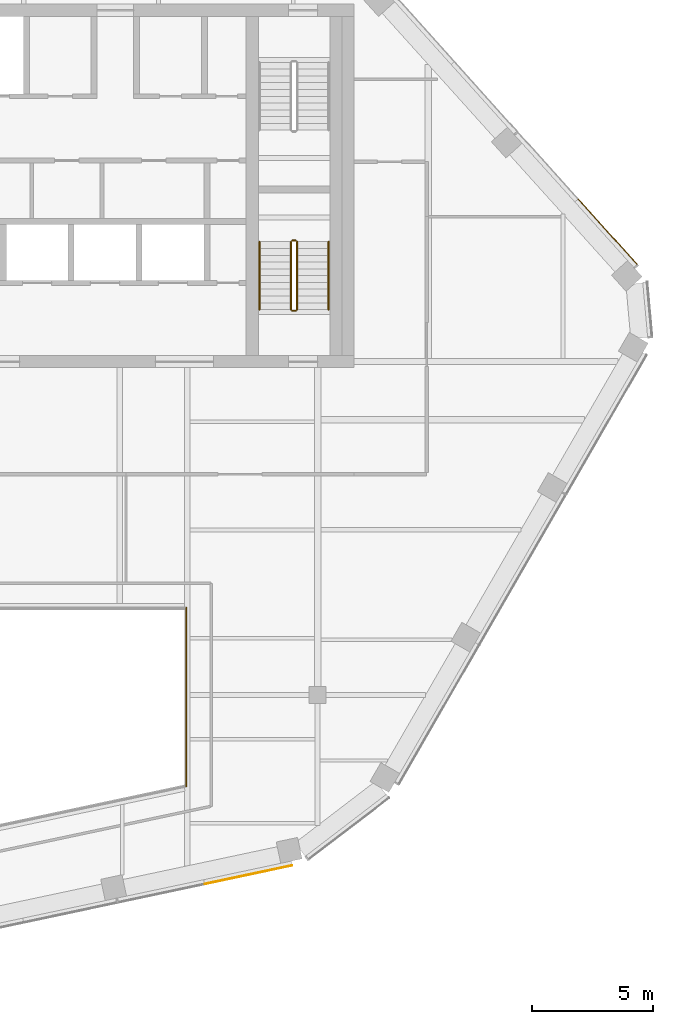
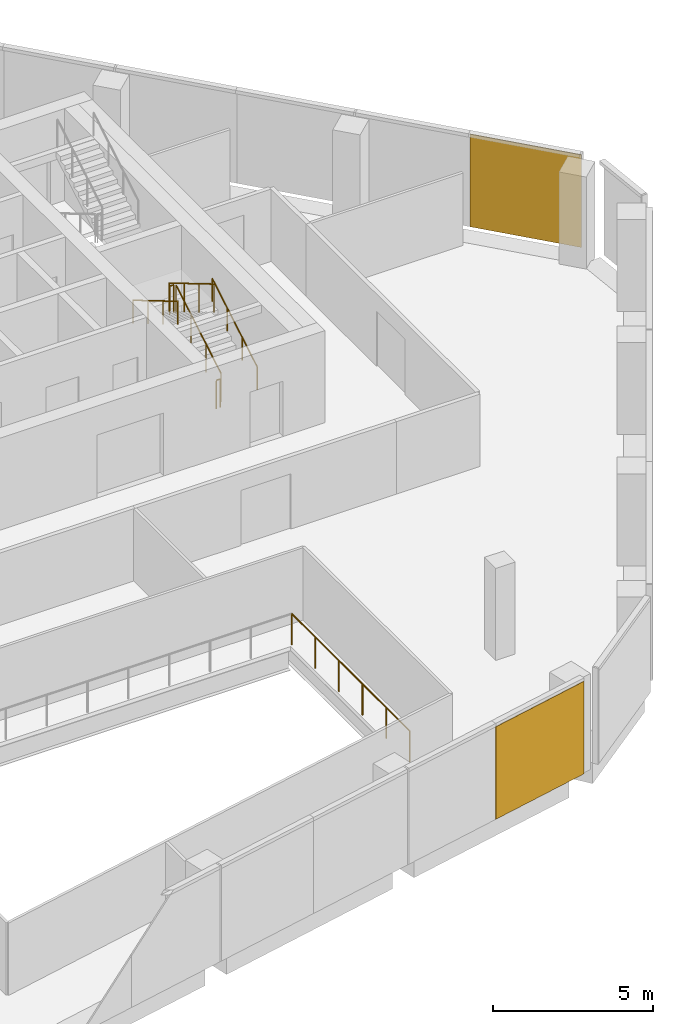
# One storey, part 13 of 15: 7 railings, 2 coverings, 2 elements without a shape of their own.
"""IFC4 building model written with IfcOpenShell, lengths in metres."""

from ifc_helpers import new_model, si_unit, direction, frame, origin, origin_2d, place, context, subcontext, project, spatial, rectangle, circle, extrude, material, layer, layer_set, type_object, element, aggregate, save


model = new_model("IFC4")

# Units and contexts
model_context = context("Model", 3, precision=1e-05, world=origin(), true_north=direction((0.0, 1.0)))
body_context = subcontext(model_context, "Body", "Model", "MODEL_VIEW")
ifc_project = project(units=[si_unit("LENGTHUNIT", "METRE"), si_unit("AREAUNIT", "SQUARE_METRE"), si_unit("VOLUMEUNIT", "CUBIC_METRE"), si_unit("PLANEANGLEUNIT", "RADIAN"), si_unit("MASSUNIT", "GRAM", prefix="KILO")], contexts=[model_context])

# Site, building, storey
site_placement = place(None, origin())
site = spatial("IfcSite", under=ifc_project, at=site_placement, CompositionType="ELEMENT")
building_placement = place(site_placement, origin())
building = spatial("IfcBuilding", under=site, at=building_placement, Name="Isthmus Gate Tower", CompositionType="ELEMENT")
storey_placement = place(building_placement, frame((0.0, 0.0, 293.800048828125)))
storey = spatial("IfcBuildingStorey", under=building, at=storey_placement, Name="L75", CompositionType="ELEMENT", Elevation=293.800048828125)

# Railing
ifc_material_1 = material(Name="Laminated toughened glass balustrade with steel rail", Category="steel")
railing_type_1 = type_object("IfcRailingType", Name="ATRIUM GUARD GLASS BALUSTRADE 1200", PredefinedType="GUARDRAIL", material=ifc_material_1)
railing_1_placement = place(storey_placement, frame((8.080078125, -9.919921875, 0.0)))
element("IfcRailing", 1, at=railing_1_placement, inside=storey, type_object=railing_type_1, Name="L75 atrium guard", PredefinedType="GUARDRAIL", context=body_context, shape_type="SweptSolid", body=[
    extrude(circle(Radius=0.02490234375, at=origin_2d()), frame((0.0, 0.0, 1.1748046875), z_axis=(0.0, -1.0, 0.0), x_axis=(1.0, 0.0, 0.0)), (0.0, 0.0, 1.0), 7.35498046875),
    extrude(circle(Radius=0.02490234375, at=origin_2d()), origin(), (0.0, 0.0, 1.0), 1.14990234375),
    extrude(circle(Radius=0.02490234375, at=origin_2d()), frame((0.0, -1.470947265625, 0.0)), (0.0, 0.0, 1.0), 1.14990234375),
    extrude(circle(Radius=0.02490234375, at=origin_2d()), frame((0.0, -2.94189453125, 0.0)), (0.0, 0.0, 1.0), 1.14990234375),
    extrude(circle(Radius=0.02490234375, at=origin_2d()), frame((0.0, -4.4130859375, 0.0)), (0.0, 0.0, 1.0), 1.14990234375),
    extrude(circle(Radius=0.02490234375, at=origin_2d()), frame((0.0, -5.884033203125, 0.0)), (0.0, 0.0, 1.0), 1.14990234375),
    extrude(circle(Radius=0.02490234375, at=origin_2d()), frame((0.0, -7.35498046875, 0.0)), (0.0, 0.0, 1.0), 1.14990234375),
])

# Curtain wall, covering
ifc_material_2 = material(Name="Aluminium, pale champagne anodised", Category="aluminium")
ifc_layer_1 = layer(ifc_material_2, 0.199951171875)
ifc_layer_set_1 = layer_set([ifc_layer_1], Name="CW-1 UNITISED CURTAIN WALL 200 DEEP")
curtain_wall_type = type_object("IfcCurtainWallType", Name="CW-1 UNITISED CURTAIN WALL 200 DEEP", PredefinedType="NOTDEFINED", material=ifc_layer_set_1)
curtain_wall_1_placement = place(storey_placement, origin())
curtain_wall_1 = element("IfcCurtainWall", 2, at=curtain_wall_1_placement, inside=storey, type_object=curtain_wall_type, Name="CW-1 S L75", PredefinedType="NOTDEFINED")
ifc_material_3 = material(Name="Aluminium composite panel, pale champagne anodised", Category="aluminium")
ifc_layer_2 = layer(ifc_material_3, 0.031982421875)
ifc_layer_set_2 = layer_set([ifc_layer_2], Name="CW-1 PALE METAL PANEL 32")
covering_type = type_object("IfcCoveringType", Name="CW-1 PALE METAL PANEL 32", PredefinedType="CLADDING", material=ifc_layer_set_2)
covering_1_placement = place(storey_placement, frame((10.644775390625, -20.925537109375, 0.0), z_axis=(0.0, 0.0, 1.0), x_axis=(0.978147600734, 0.207911690818, 0.0)))
covering_1 = element("IfcCovering", 3, at=covering_1_placement, type_object=covering_type, Name="CW-1 pale metal panel", PredefinedType="CLADDING", context=body_context, shape_type="SweptSolid", body=[
    extrude(rectangle(XDim=3.703369140625, YDim=0.031982421875, at=origin_2d()), origin(), (0.0, 0.0, 1.0), 3.52001953125),
])
aggregate(curtain_wall_1, [covering_1])

curtain_wall_2_placement = place(storey_placement, origin())
curtain_wall_2 = element("IfcCurtainWall", 4, at=curtain_wall_2_placement, inside=storey, type_object=curtain_wall_type, Name="CW-1 NE L75", PredefinedType="NOTDEFINED")
covering_2_placement = place(storey_placement, frame((25.470947265625, 5.6083984375, 0.0), z_axis=(0.0, 0.0, 1.0), x_axis=(-0.669130606359, 0.743144825477, 0.0)))
covering_2 = element("IfcCovering", 5, at=covering_2_placement, type_object=covering_type, Name="CW-1 pale metal panel", PredefinedType="CLADDING", context=body_context, shape_type="SweptSolid", body=[
    extrude(rectangle(XDim=3.643310546875, YDim=0.031982421875, at=origin_2d()), origin(), (0.0, 0.0, 1.0), 3.52001953125),
])
aggregate(curtain_wall_2, [covering_2])

# Railings
ifc_material_4 = material(Name="Stainless steel balustrade", Category="steel")
railing_type_2 = type_object("IfcRailingType", Name="STAIR GUARD 1100", PredefinedType="GUARDRAIL", material=ifc_material_4)
railing_2_placement = place(storey_placement, frame((12.64990234375, 2.39990234375, 0.165771484375)))
element("IfcRailing", 6, at=railing_2_placement, inside=storey, type_object=railing_type_2, Name="L75 ST8 stair guard 1", PredefinedType="GUARDRAIL", context=body_context, shape_type="SweptSolid", body=[
    extrude(circle(Radius=0.02392578125, at=origin_2d()), frame((0.0, 0.0, 1.076171875), z_axis=(0.0, 0.860306154799, 0.50977771628), x_axis=(-1.0, 0.0, 0.0)), (0.0, 0.0, 1.0), 3.254638671875),
    extrude(circle(Radius=0.02099609375, at=origin_2d()), origin(), (0.0, 0.0, 1.0), 1.052001953125),
    extrude(circle(Radius=0.02099609375, at=origin_2d()), frame((0.0, 0.933349609375, 0.552978515625)), (0.0, 0.0, 1.0), 1.052001953125),
    extrude(circle(Radius=0.02099609375, at=origin_2d()), frame((0.0, 1.86669921875, 1.106201171875)), (0.0, 0.0, 1.0), 1.052001953125),
    extrude(circle(Radius=0.02099609375, at=origin_2d()), frame((0.0, 2.800048828125, 1.6591796875)), (0.0, 0.0, 1.0), 1.052001953125),
])
railing_3_placement = place(storey_placement, frame((12.60009765625, 5.25, 1.824951171875)))
element("IfcRailing", 7, at=railing_3_placement, inside=storey, type_object=railing_type_2, Name="L75 ST8 stair guard 2", PredefinedType="GUARDRAIL", context=body_context, shape_type="SweptSolid", body=[
    extrude(circle(Radius=0.02392578125, at=origin_2d()), frame((0.0, 0.0, 1.076171875), z_axis=(-1.0, 0.0, 0.0), x_axis=(0.0, -1.0, 0.0)), (0.0, 0.0, 1.0), 0.150146484375),
    extrude(circle(Radius=0.02099609375, at=origin_2d()), origin(), (0.0, 0.0, 1.0), 1.052001953125),
    extrude(circle(Radius=0.02099609375, at=origin_2d()), frame((-0.150146484375, 0.0, 0.0)), (0.0, 0.0, 1.0), 1.052001953125),
])
railing_4_placement = place(storey_placement, frame((12.39990234375, 5.199951171875, 1.990966796875)))
element("IfcRailing", 8, at=railing_4_placement, inside=storey, type_object=railing_type_2, Name="L75 ST8 stair guard 3", PredefinedType="GUARDRAIL", context=body_context, shape_type="SweptSolid", body=[
    extrude(circle(Radius=0.02392578125, at=origin_2d()), frame((0.0, 0.0, 1.076171875), z_axis=(0.0, -0.860339051648, 0.50972219513), x_axis=(1.0, 0.0, 0.0)), (0.0, 0.0, 1.0), 3.254638671875),
    extrude(circle(Radius=0.02099609375, at=origin_2d()), origin(), (0.0, 0.0, 1.0), 1.052001953125),
    extrude(circle(Radius=0.02099609375, at=origin_2d()), frame((0.0, -0.933349609375, 0.552978515625)), (0.0, 0.0, 1.0), 1.052001953125),
    extrude(circle(Radius=0.02099609375, at=origin_2d()), frame((0.0, -1.86669921875, 1.10595703125)), (0.0, 0.0, 1.0), 1.052001953125),
    extrude(circle(Radius=0.02099609375, at=origin_2d()), frame((0.0, -2.800048828125, 1.658935546875)), (0.0, 0.0, 1.0), 1.052001953125),
])
railing_5_placement = place(storey_placement, frame((12.60009765625, 2.35009765625, 0.0)))
element("IfcRailing", 9, at=railing_5_placement, inside=storey, type_object=railing_type_2, Name="L75 ST8 stair guard 4", PredefinedType="GUARDRAIL", context=body_context, shape_type="SweptSolid", body=[
    extrude(circle(Radius=0.02392578125, at=origin_2d()), frame((0.0, 0.0, 1.076171875), z_axis=(-1.0, 0.0, 0.0), x_axis=(0.0, -1.0, 0.0)), (0.0, 0.0, 1.0), 0.150146484375),
    extrude(circle(Radius=0.02099609375, at=origin_2d()), origin(), (0.0, 0.0, 1.0), 1.052001953125),
    extrude(circle(Radius=0.02099609375, at=origin_2d()), frame((-0.150146484375, 0.0, 0.0)), (0.0, 0.0, 1.0), 1.052001953125),
])
ifc_material_5 = material(Name="Stainless steel handrail", Category="steel")
railing_type_3 = type_object("IfcRailingType", Name="STAIR HANDRAIL 900", PredefinedType="HANDRAIL", material=ifc_material_5)
railing_6_placement = place(storey_placement, frame((13.949951171875, 2.39990234375, 0.165771484375)))
element("IfcRailing", 10, at=railing_6_placement, inside=storey, type_object=railing_type_3, Name="L75 ST8 stair handrail 1", PredefinedType="HANDRAIL", context=body_context, shape_type="SweptSolid", body=[
    extrude(circle(Radius=0.02392578125, at=origin_2d()), frame((0.0, 0.0, 0.8759765625), z_axis=(0.0, 0.860306154799, 0.50977771628), x_axis=(-1.0, 0.0, 0.0)), (0.0, 0.0, 1.0), 3.254638671875),
    extrude(circle(Radius=0.02099609375, at=origin_2d()), origin(), (0.0, 0.0, 1.0), 0.851806640625),
    extrude(circle(Radius=0.02099609375, at=origin_2d()), frame((0.0, 0.933349609375, 0.552978515625)), (0.0, 0.0, 1.0), 0.851806640625),
    extrude(circle(Radius=0.02099609375, at=origin_2d()), frame((0.0, 1.86669921875, 1.106201171875)), (0.0, 0.0, 1.0), 0.851806640625),
    extrude(circle(Radius=0.02099609375, at=origin_2d()), frame((0.0, 2.800048828125, 1.6591796875)), (0.0, 0.0, 1.0), 0.851806640625),
])
railing_7_placement = place(storey_placement, frame((11.10009765625, 5.199951171875, 1.990966796875)))
element("IfcRailing", 11, at=railing_7_placement, inside=storey, type_object=railing_type_3, Name="L75 ST8 stair handrail 2", PredefinedType="HANDRAIL", context=body_context, shape_type="SweptSolid", body=[
    extrude(circle(Radius=0.02392578125, at=origin_2d()), frame((0.0, 0.0, 0.8759765625), z_axis=(0.0, -0.860339051648, 0.50972219513), x_axis=(1.0, 0.0, 0.0)), (0.0, 0.0, 1.0), 3.254638671875),
    extrude(circle(Radius=0.02099609375, at=origin_2d()), origin(), (0.0, 0.0, 1.0), 0.851806640625),
    extrude(circle(Radius=0.02099609375, at=origin_2d()), frame((0.0, -0.933349609375, 0.552978515625)), (0.0, 0.0, 1.0), 0.851806640625),
    extrude(circle(Radius=0.02099609375, at=origin_2d()), frame((0.0, -1.86669921875, 1.10595703125)), (0.0, 0.0, 1.0), 0.851806640625),
    extrude(circle(Radius=0.02099609375, at=origin_2d()), frame((0.0, -2.800048828125, 1.658935546875)), (0.0, 0.0, 1.0), 0.851806640625),
])

save(model, "model.ifc")
